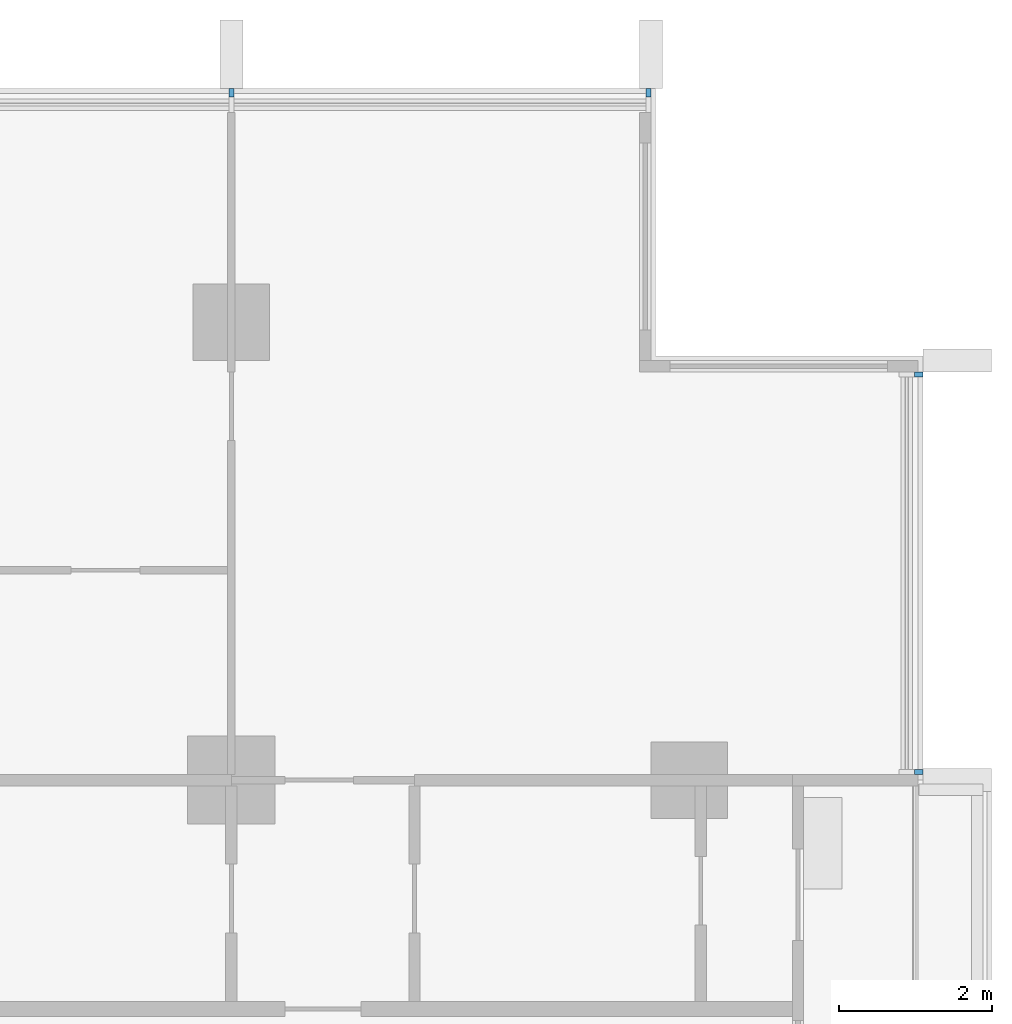
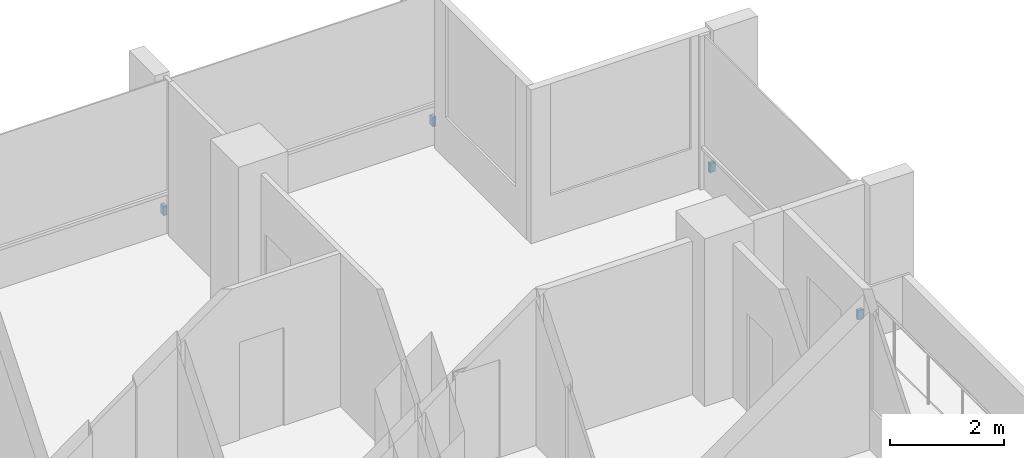
# One storey, part 17 of 18: 4 discrete accessories.
"""IFC4 building model written with IfcOpenShell, lengths in metres."""

from ifc_helpers import new_model, si_unit, direction, frame, origin, origin_2d, place, context, subcontext, project, spatial, rectangle, extrude, material, type_object, element, save


model = new_model("IFC4")

# Units and contexts
model_context = context("Model", 3, precision=1e-05, world=origin(), true_north=direction((0.0, 1.0)))
body_context = subcontext(model_context, "Body", "Model", "MODEL_VIEW")
ifc_project = project(units=[si_unit("LENGTHUNIT", "METRE"), si_unit("AREAUNIT", "SQUARE_METRE"), si_unit("VOLUMEUNIT", "CUBIC_METRE"), si_unit("PLANEANGLEUNIT", "RADIAN"), si_unit("MASSUNIT", "GRAM", prefix="KILO")], contexts=[model_context])

# Site, building, storey
site_placement = place(None, origin())
site = spatial("IfcSite", under=ifc_project, at=site_placement, CompositionType="ELEMENT")
building_placement = place(site_placement, origin())
building = spatial("IfcBuilding", under=site, at=building_placement, Name="Finial Court Residences", CompositionType="ELEMENT")
storey_placement = place(building_placement, frame((0.0, 0.0, 109.89990234375)))
storey = spatial("IfcBuildingStorey", under=building, at=storey_placement, Name="L27", CompositionType="ELEMENT", Elevation=109.89990234375)

# Discrete accessories
ifc_material = material(Name="Stainless steel 316", Category="steel")
discrete_accessory_type = type_object("IfcDiscreteAccessoryType", Name="Fin bracket, stainless steel 65 x 110 x 200", PredefinedType="BRACKET", material=ifc_material)
for number, where, z_axis, x_axis, name in (
    (1, (16.5, 22.5048828125, 0.30029296875), (0.0, 0.0, 1.0), (1.0, 0.0, 0.0), "E-L27-FIN-N7-BRK"),
    (2, (21.967529296875, 22.5048828125, 0.30029296875), (0.0, 0.0, 1.0), (1.0, 0.0, 0.0), "E-L27-FIN-N8-BRK"),
):
    element("IfcDiscreteAccessory", number, at=place(storey_placement, frame(where, z_axis=z_axis, x_axis=x_axis)), inside=storey, type_object=discrete_accessory_type, Name=name, PredefinedType="BRACKET", context=body_context, shape_type="SweptSolid", body=[
        extrude(rectangle(XDim=0.06494140625, YDim=0.110107421875, at=origin_2d()), origin(), (0.0, 0.0, 1.0), 0.199951171875),
    ])
for number, where, z_axis, x_axis, name in (
    (3, (25.5048828125, 13.607421875, 0.30029296875), (0.0, 0.0, 1.0), (1.0, 0.0, 0.0), "E-L27-FIN-E14-BRK"),
    (4, (25.5048828125, 18.8173828125, 0.30029296875), (0.0, 0.0, 1.0), (1.0, 0.0, 0.0), "E-L27-FIN-E15-BRK"),
):
    element("IfcDiscreteAccessory", number, at=place(storey_placement, frame(where, z_axis=z_axis, x_axis=x_axis)), inside=storey, type_object=discrete_accessory_type, Name=name, PredefinedType="BRACKET", context=body_context, shape_type="SweptSolid", body=[
        extrude(rectangle(XDim=0.110107421875, YDim=0.06494140625, at=origin_2d()), origin(), (0.0, 0.0, 1.0), 0.199951171875),
    ])

save(model, "model.ifc")
